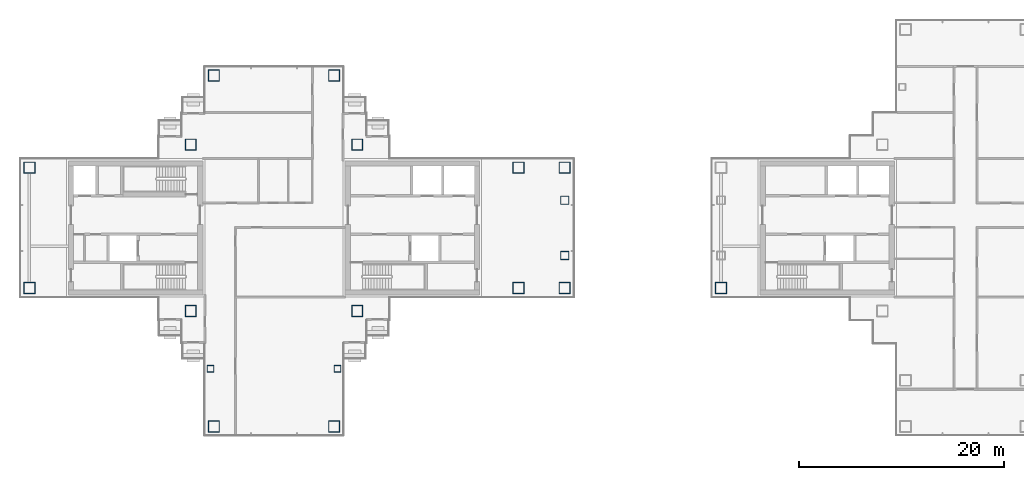
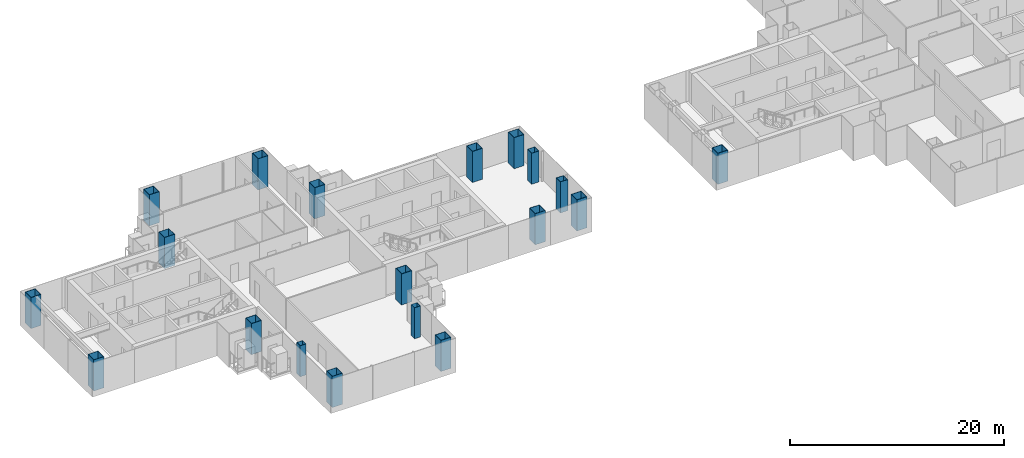
# One storey, part 1 of 16: 19 columns.
"""IFC4 building model written with IfcOpenShell, lengths in metres."""

from ifc_helpers import new_model, si_unit, direction, frame, origin, origin_2d, place, context, subcontext, project, spatial, hollow_rectangle, extrude, material, material_profile, profile_set, type_object, element, save


model = new_model("IFC4")

# Units and contexts
model_context = context("Model", 3, precision=1e-05, world=origin(), true_north=direction((0.0, 1.0)))
body_context = subcontext(model_context, "Body", "Model", "MODEL_VIEW")
ifc_project = project(units=[si_unit("LENGTHUNIT", "METRE"), si_unit("AREAUNIT", "SQUARE_METRE"), si_unit("VOLUMEUNIT", "CUBIC_METRE"), si_unit("PLANEANGLEUNIT", "RADIAN"), si_unit("MASSUNIT", "GRAM", prefix="KILO")], contexts=[model_context])

# Site, building, storey
site_placement = place(None, origin())
site = spatial("IfcSite", under=ifc_project, at=site_placement, CompositionType="ELEMENT")
building_placement = place(site_placement, origin())
building = spatial("IfcBuilding", under=site, at=building_placement, Name="Shamsa Quay Exchange Towers", CompositionType="ELEMENT")
storey_placement = place(building_placement, frame((0.0, 0.0, 158.39990234375)))
storey = spatial("IfcBuildingStorey", under=building, at=storey_placement, Name="L37", CompositionType="ELEMENT", Elevation=158.39990234375)

# Columns
ifc_material_1 = material(Name="Concrete-filled steel tube S355 / C80/95", Category="concrete")
ifc_material_profile_1 = material_profile(ifc_material_1, hollow_rectangle(XDim=1.10009765625, YDim=1.10009765625, WallThickness=0.0400390625, at=origin_2d()), Name="CFT 1100x1100x40")
ifc_profile_set_1 = profile_set([ifc_material_profile_1], Name="Concrete-filled steel tube S355 / C80/95")
column_type_1 = type_object("IfcColumnType", Name="Column CFT 1100x1100x40", PredefinedType="COLUMN", material=ifc_profile_set_1)
for number, where, name in (
    (1, (-25.625, 8.125, 0.0), "Mega column T1-CM01"),
    (2, (-25.625, -8.125, 0.0), "Mega column T1-CM02"),
    (3, (-41.875, 8.125, 0.0), "Mega column T1-CM03"),
    (4, (-41.875, -8.125, 0.0), "Mega column T1-CM04"),
    (5, (-9.875, -5.875, 0.0), "Mega column T1-CM05"),
    (6, (-5.375, -5.875, 0.0), "Mega column T1-CM06"),
    (7, (-9.875, 5.875, 0.0), "Mega column T1-CM07"),
    (8, (-5.375, 5.875, 0.0), "Mega column T1-CM08"),
    (9, (-57.625, -5.875, 0.0), "Mega column T1-CM09"),
    (10, (-57.625, 5.875, 0.0), "Mega column T1-CM11"),
    (11, (-39.625, 14.875, 0.0), "Mega column T1-CM13"),
    (12, (-27.875, 14.875, 0.0), "Mega column T1-CM16"),
    (13, (-39.625, -19.375, 0.0), "Mega column T1-CM20"),
    (14, (-27.875, -19.375, 0.0), "Mega column T1-CM23"),
    (15, (9.875, -5.875, 0.0), "Mega column T2-CM19"),
):
    element("IfcColumn", number, at=place(storey_placement, frame(where)), inside=storey, type_object=column_type_1, Name=name, PredefinedType="COLUMN", context=body_context, shape_type="SweptSolid", body=[
        extrude(hollow_rectangle(XDim=1.10009765625, YDim=1.10009765625, WallThickness=0.0400390625, at=origin_2d()), origin(), (0.0, 0.0, 1.0), 3.550048828125),
    ])
ifc_material_2 = material(Name="Concrete-filled steel tube S355 / C60/75", Category="concrete")
ifc_material_profile_2 = material_profile(ifc_material_2, hollow_rectangle(XDim=0.64990234375, YDim=0.64990234375, WallThickness=0.02001953125, at=origin_2d()), Name="CFT 650x650x20")
ifc_profile_set_2 = profile_set([ifc_material_profile_2], Name="Concrete-filled steel tube S355 / C60/75")
column_type_2 = type_object("IfcColumnType", Name="Column CFT 650x650x20", PredefinedType="COLUMN", material=ifc_profile_set_2)
for number, where, name in (
    (16, (-39.9375, -13.75, 0.0), "Perimeter column T1-CP19"),
    (17, (-27.5625, -13.75, 0.0), "Perimeter column T1-CP22"),
):
    element("IfcColumn", number, at=place(storey_placement, frame(where)), inside=storey, type_object=column_type_2, Name=name, PredefinedType="COLUMN", context=body_context, shape_type="SweptSolid", body=[
        extrude(hollow_rectangle(XDim=0.64990234375, YDim=0.64990234375, WallThickness=0.02001953125, at=origin_2d()), origin(), (0.0, 0.0, 1.0), 3.550048828125),
    ])
ifc_material_3 = material(Name="Concrete-filled steel tube S355 / C70/85", Category="concrete")
ifc_material_profile_3 = material_profile(ifc_material_3, hollow_rectangle(XDim=0.800048828125, YDim=0.800048828125, WallThickness=0.030029296875, at=origin_2d()), Name="CFT 800x800x30")
ifc_profile_set_3 = profile_set([ifc_material_profile_3], Name="Concrete-filled steel tube S355 / C70/85")
column_type_3 = type_object("IfcColumnType", Name="Landing column CFT 800x800x30", PredefinedType="COLUMN", material=ifc_profile_set_3)
for number, where, name in (
    (18, (-5.375, -2.699951171875, 0.0), "Landing column T1 S"),
    (19, (-5.375, 2.699951171875, 0.0), "Landing column T1 N"),
):
    element("IfcColumn", number, at=place(storey_placement, frame(where)), inside=storey, type_object=column_type_3, Name=name, PredefinedType="COLUMN", context=body_context, shape_type="SweptSolid", body=[
        extrude(hollow_rectangle(XDim=0.800048828125, YDim=0.800048828125, WallThickness=0.030029296875, at=origin_2d()), origin(), (0.0, 0.0, 1.0), 3.550048828125),
    ])

save(model, "model.ifc")
